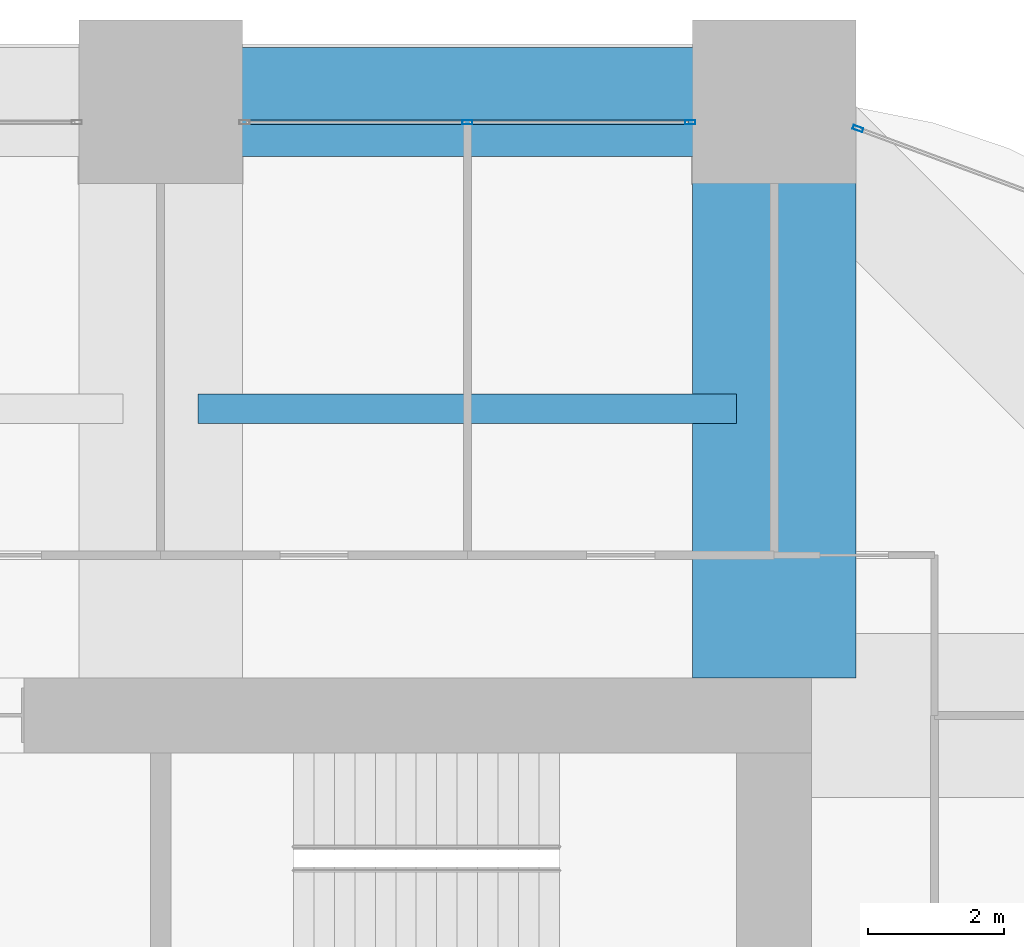
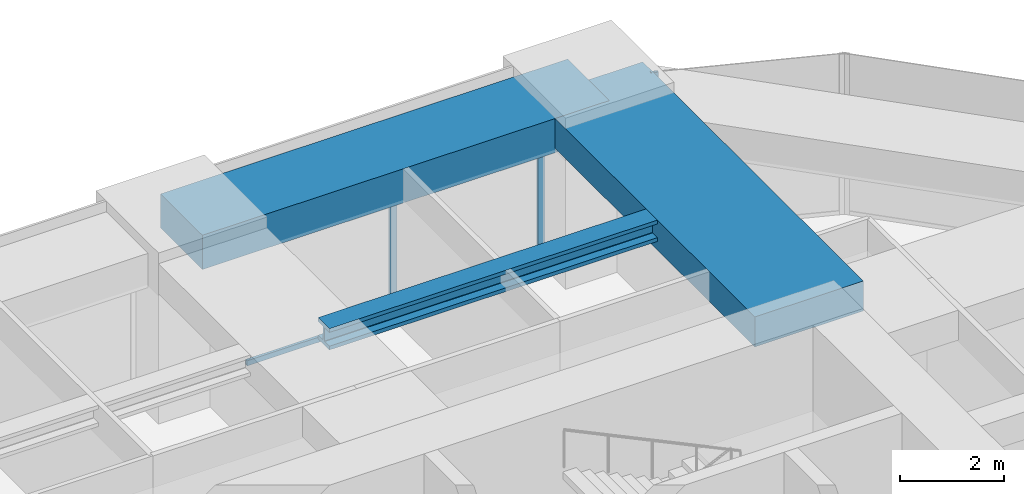
# One storey, part 26 of 35: 4 members, 3 beams, 2 elements without a shape of their own.
"""IFC4 building model written with IfcOpenShell, lengths in metres."""

from ifc_helpers import new_model, si_unit, direction, frame, origin, origin_2d, place, context, subcontext, project, spatial, rectangle, hollow_rectangle, i_section, extrude, material, material_profile, profile_set, type_object, element, aggregate, save


model = new_model("IFC4")

# Units and contexts
model_context = context("Model", 3, precision=1e-05, world=origin(), true_north=direction((0.0, 1.0)))
body_context = subcontext(model_context, "Body", "Model", "MODEL_VIEW")
ifc_project = project(units=[si_unit("LENGTHUNIT", "METRE"), si_unit("AREAUNIT", "SQUARE_METRE"), si_unit("VOLUMEUNIT", "CUBIC_METRE"), si_unit("PLANEANGLEUNIT", "RADIAN"), si_unit("MASSUNIT", "GRAM", prefix="KILO")], contexts=[model_context])

# Site, building, storey
site_placement = place(None, origin())
site = spatial("IfcSite", under=ifc_project, at=site_placement, CompositionType="ELEMENT")
building_placement = place(site_placement, origin())
building = spatial("IfcBuilding", under=site, at=building_placement, Name="Zorevar Civic Tower", CompositionType="ELEMENT")
storey_placement = place(building_placement, frame((0.0, 0.0, 222.199951171875)))
storey = spatial("IfcBuildingStorey", under=building, at=storey_placement, Name="L54", CompositionType="ELEMENT", Elevation=222.199951171875)

# Beam
ifc_material_1 = material(Name="Concrete C50/60", Category="concrete")
ifc_material_profile_1 = material_profile(ifc_material_1, rectangle(XDim=2.39990234375, YDim=0.699951171875, at=origin_2d()), Name="RC 2400x700")
ifc_profile_set_1 = profile_set([ifc_material_profile_1], Name="Concrete C50/60")
beam_type_1 = type_object("IfcBeamType", Name="Beam RC 2400x700", PredefinedType="BEAM", material=ifc_profile_set_1)
beam_1_placement = place(storey_placement, frame((45.0, 36.550048828125, 3.400146484375), z_axis=(0.0, 1.0, 0.0), x_axis=(-1.0, 0.0, 0.0)))
element("IfcBeam", 1, at=beam_1_placement, inside=storey, type_object=beam_type_1, Name="Girder L55", PredefinedType="BEAM", context=body_context, shape_type="SweptSolid", body=[
    extrude(rectangle(XDim=2.39990234375, YDim=0.699951171875, at=origin_2d()), origin(), (0.0, 0.0, 1.0), 8.449951171875),
])

# Curtain wall, members
ifc_material_2 = material(Name="Dark grey solar-control glass in black aluminium frame", Category="aluminium")
curtain_wall_type = type_object("IfcCurtainWallType", Name="Curtain wall CW4 high zone", PredefinedType="NOTDEFINED", material=ifc_material_2)
curtain_wall_1_placement = place(storey_placement, origin())
curtain_wall_1 = element("IfcCurtainWall", 2, at=curtain_wall_1_placement, inside=storey, type_object=curtain_wall_type, Name="CW4 L54", PredefinedType="NOTDEFINED")
ifc_material_3 = material(Name="Aluminium, black anodised", Category="aluminium")
ifc_material_profile_2 = material_profile(ifc_material_3, hollow_rectangle(XDim=0.06005859375, YDim=0.14990234375, WallThickness=0.00390625, at=origin_2d()), Name="AL 150x60x4")
ifc_profile_set_2 = profile_set([ifc_material_profile_2], Name="Aluminium, black anodised")
member_type_1 = type_object("IfcMemberType", Name="CW4 mullion AL 150x60x4", PredefinedType="MULLION", material=ifc_profile_set_2)
member_1_placement = place(storey_placement, frame((40.5, 44.699951171875, 0.06005859375), z_axis=(0.0, 0.0, 1.0), x_axis=(0.0, 1.0, 0.0)))
member_1 = element("IfcMember", 3, at=member_1_placement, type_object=member_type_1, Name="CW4 mullion 2", PredefinedType="MULLION", context=body_context, shape_type="SweptSolid", body=[
    extrude(hollow_rectangle(XDim=0.06005859375, YDim=0.14990234375, WallThickness=0.00390625, at=origin_2d()), origin(), (0.0, 0.0, 1.0), 2.889892578125),
])
member_2_placement = place(storey_placement, frame((43.77001953125, 44.699951171875, 0.0), z_axis=(0.0, 0.0, 1.0), x_axis=(0.0, 1.0, 0.0)))
member_2 = element("IfcMember", 4, at=member_2_placement, type_object=member_type_1, Name="CW4 mullion 3", PredefinedType="MULLION", context=body_context, shape_type="SweptSolid", body=[
    extrude(hollow_rectangle(XDim=0.06005859375, YDim=0.14990234375, WallThickness=0.00390625, at=origin_2d()), origin(), (0.0, 0.0, 1.0), 2.949951171875),
])

# Curtain wall, member
curtain_wall_2_placement = place(storey_placement, origin())
curtain_wall_2 = element("IfcCurtainWall", 5, at=curtain_wall_2_placement, inside=storey, type_object=curtain_wall_type, Name="CW4 L54", PredefinedType="NOTDEFINED")
member_3_placement = place(storey_placement, frame((46.22802734375, 44.6064453125, 0.0), z_axis=(0.0, 0.0, 1.0), x_axis=(-0.346704012033, -0.937974588163, 0.0)))
member_3 = element("IfcMember", 6, at=member_3_placement, type_object=member_type_1, Name="CW4 mullion 2", PredefinedType="MULLION", context=body_context, shape_type="SweptSolid", body=[
    extrude(hollow_rectangle(XDim=0.06005859375, YDim=0.14990234375, WallThickness=0.00390625, at=origin_2d()), origin(), (0.0, 0.0, 1.0), 3.75),
])
aggregate(curtain_wall_2, [member_3])

# Member
ifc_material_4 = material(Name="Aluminium, black anodised", Category="aluminium")
ifc_material_profile_3 = material_profile(ifc_material_4, hollow_rectangle(XDim=0.06005859375, YDim=0.1201171875, WallThickness=0.0029296875, at=origin_2d()), Name="AL 120x60x3")
ifc_profile_set_3 = profile_set([ifc_material_profile_3], Name="Aluminium, black anodised")
member_type_2 = type_object("IfcMemberType", Name="CW4 transom AL 120x60x3", PredefinedType="USERDEFINED", material=ifc_profile_set_3)
member_4_placement = place(storey_placement, frame((37.260009765625, 44.699951171875, 0.030029296875), z_axis=(1.0, 0.0, 0.0), x_axis=(0.0, 1.0, 0.0)))
member_4 = element("IfcMember", 7, at=member_4_placement, type_object=member_type_2, Name="CW4 sill transom", ObjectType="TRANSOM", PredefinedType="USERDEFINED", context=body_context, shape_type="SweptSolid", body=[
    extrude(hollow_rectangle(XDim=0.06005859375, YDim=0.1201171875, WallThickness=0.0029296875, at=origin_2d()), origin(), (0.0, 0.0, 1.0), 6.47998046875),
])

aggregate(curtain_wall_1, [member_1, member_2, member_4])

# Beams
ifc_material_5 = material(Name="Steel S460M (HISTAR 460)", Category="steel")
ifc_material_profile_4 = material_profile(ifc_material_5, i_section(OverallWidth=0.431884765625, OverallDepth=0.498046875, WebThickness=0.0556640625, FlangeThickness=0.0888671875, FilletRadius=0.014892578125, at=origin_2d()), Name="HD 400x744")
ifc_profile_set_4 = profile_set([ifc_material_profile_4], Name="Steel S460M (HISTAR 460)")
beam_type_2 = type_object("IfcBeamType", Name="Core bay beam HD 400x744", PredefinedType="BEAM", material=ifc_profile_set_4)
beam_2_placement = place(storey_placement, frame((36.550048828125, 40.5, 3.5009765625), z_axis=(1.0, 0.0, 0.0), x_axis=(0.0, 1.0, 0.0)))
element("IfcBeam", 8, at=beam_2_placement, inside=storey, type_object=beam_type_2, Name="Secondary beam L55", PredefinedType="BEAM", context=body_context, shape_type="SweptSolid", body=[
    extrude(i_section(OverallWidth=0.431884765625, OverallDepth=0.498046875, WebThickness=0.0556640625, FlangeThickness=0.0888671875, FilletRadius=0.014892578125, at=origin_2d()), origin(), (0.0, 0.0, 1.0), 7.89990234375),
])
ifc_material_6 = material(Name="Concrete C50/60", Category="concrete")
ifc_material_profile_5 = material_profile(ifc_material_6, rectangle(XDim=1.60009765625, YDim=0.800048828125, at=origin_2d()), Name="RC 1600x800")
ifc_profile_set_5 = profile_set([ifc_material_profile_5], Name="Concrete C50/60")
beam_type_3 = type_object("IfcBeamType", Name="Edge beam RC 1600x800", PredefinedType="SPANDREL", material=ifc_profile_set_5)
beam_3_placement = place(storey_placement, frame((36.0, 45.0, 3.35009765625), z_axis=(1.0, 0.0, 0.0), x_axis=(0.0, 1.0, 0.0)))
element("IfcBeam", 9, at=beam_3_placement, inside=storey, type_object=beam_type_3, Name="Edge beam L55", PredefinedType="SPANDREL", context=body_context, shape_type="SweptSolid", body=[
    extrude(rectangle(XDim=1.60009765625, YDim=0.800048828125, at=origin_2d()), origin(), (0.0, 0.0, 1.0), 9.0),
])

save(model, "model.ifc")
